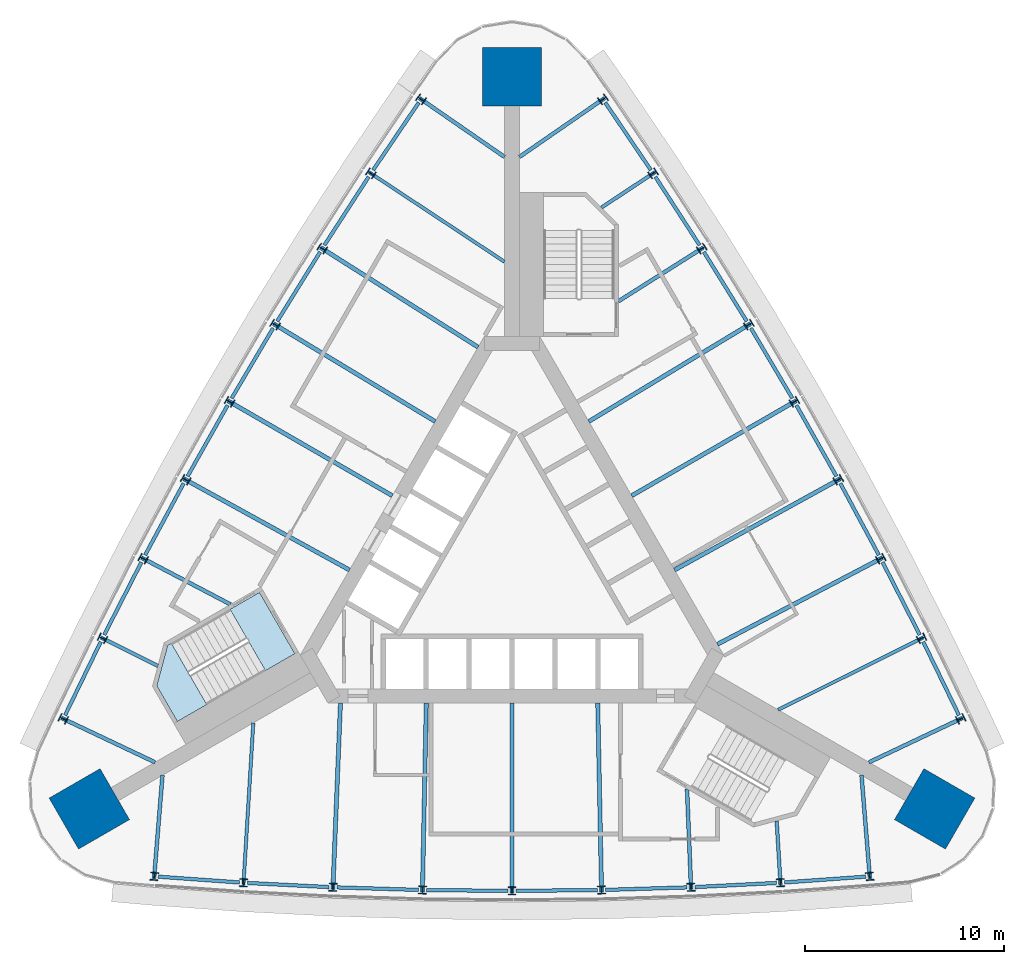
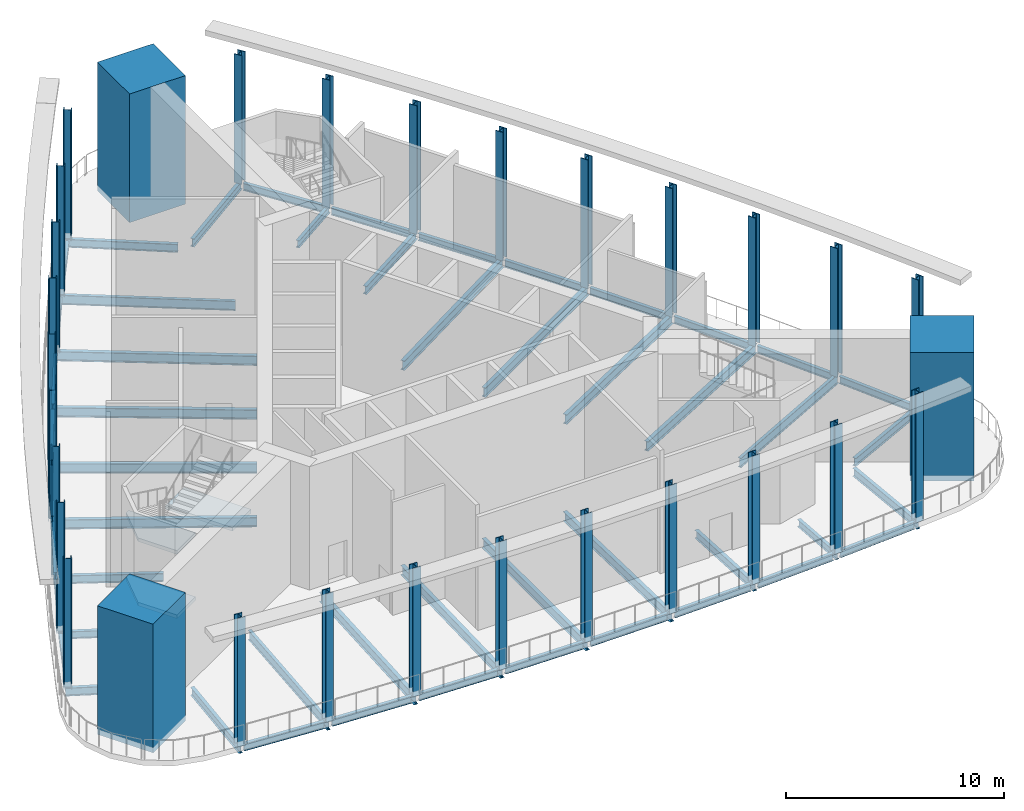
# One storey, part 1 of 7: 51 beams, 30 columns, 3 slabs, 1 element without a shape of its own.
"""IFC4 building model written with IfcOpenShell, lengths in metres."""

from ifc_helpers import new_model, si_unit, direction, frame, origin, origin_2d, place, context, subcontext, project, spatial, polyline, rectangle, i_section, outline, extrude, material, layer, layer_set, material_profile, profile_set, type_object, element, aggregate, save


model = new_model("IFC4")

# Units and contexts
model_context = context("Model", 3, precision=1e-05, world=origin(), true_north=direction((0.0, 1.0)))
body_context = subcontext(model_context, "Body", "Model", "MODEL_VIEW")
ifc_project = project(units=[si_unit("LENGTHUNIT", "METRE"), si_unit("AREAUNIT", "SQUARE_METRE"), si_unit("VOLUMEUNIT", "CUBIC_METRE"), si_unit("PLANEANGLEUNIT", "RADIAN"), si_unit("MASSUNIT", "GRAM", prefix="KILO")], contexts=[model_context])

# Site, building, storey
site_placement = place(None, origin())
site = spatial("IfcSite", under=ifc_project, at=site_placement, CompositionType="ELEMENT")
building_placement = place(site_placement, origin())
building = spatial("IfcBuilding", under=site, at=building_placement, Name="Noor Cloister Tower", CompositionType="ELEMENT")
storey_placement = place(building_placement, frame((0.0, 0.0, 127.5)))
storey = spatial("IfcBuildingStorey", under=building, at=storey_placement, Name="L33", CompositionType="ELEMENT", Elevation=127.5)

# Columns
ifc_material_1 = material(Name="Steel ASTM A992 Gr 50", Category="steel")
ifc_material_profile_1 = material_profile(ifc_material_1, i_section(OverallWidth=0.40087890625, OverallDepth=0.39892578125, WebThickness=0.02490234375, FlangeThickness=0.03955078125, FilletRadius=0.015380859375, at=origin_2d()), Name="W360x314")
ifc_profile_set_1 = profile_set([ifc_material_profile_1], Name="Steel ASTM A992 Gr 50")
column_type_1 = type_object("IfcColumnType", Name="Column W360x314", PredefinedType="COLUMN", material=ifc_profile_set_1)
for number, where, z_axis, x_axis, name in (
    (1, (-4.56005859375, 23.343017578125, -0.300048828125), (0.0, 0.0, 1.0), (-0.568579465539, -0.822628343401, 0.0), "Column NW 01 L33"),
    (2, (-7.07470703125, 19.624755859375, -0.300048828125), (0.0, 0.0, 1.0), (-0.551768440172, -0.83399735517, 0.0), "Column NW 02 L33"),
    (3, (-9.513427734375, 15.856201171875, -0.300048828125), (0.0, 0.0, 1.0), (-0.534730160694, -0.845022872616, 0.0), "Column NW 03 L33"),
    (4, (-11.875, 12.0390625, -0.300048828125), (0.0, 0.0, 1.0), (-0.517471644577, -0.855700354715, 0.0), "Column NW 04 L33"),
    (5, (-14.15869140625, 8.174560546875, -0.300048828125), (0.0, 0.0, 1.0), (-0.5, -0.866025403784, 0.0), "Column NW 05 L33"),
    (6, (-16.363525390625, 4.2646484375, -0.300048828125), (0.0, 0.0, 1.0), (-0.482322422922, -0.875993767299, 0.0), "Column NW 06 L33"),
    (7, (-18.488525390625, 0.310791015625, -0.300048828125), (0.0, 0.0, 1.0), (-0.464446194118, -0.885601339639, 0.0), "Column NW 07 L33"),
    (8, (-20.532958984375, -3.685546875, -0.300048828125), (0.0, 0.0, 1.0), (-0.446378676181, -0.89484416378, 0.0), "Column NW 08 L33"),
    (9, (-22.495849609375, -7.722412109375, -0.300048828125), (0.0, 0.0, 1.0), (-0.428127310489, -0.903718432928, 0.0), "Column NW 09 L33"),
    (10, (-17.935546875, -15.620849609375, -0.300048828125), (0.0, 0.0, 1.0), (0.996706776028, -0.081090089527, 0.0), "Column S 01 L33"),
    (11, (-13.458251953125, -15.939208984375, -0.300048828125), (0.0, 0.0, 1.0), (0.998147116352, -0.06084680861, 0.0), "Column S 02 L33"),
    (12, (-8.97509765625, -16.1669921875, -0.300048828125), (0.0, 0.0, 1.0), (0.999176354811, -0.040578467022, 0.0), "Column S 03 L33"),
    (13, (-4.488525390625, -16.3037109375, -0.300048828125), (0.0, 0.0, 1.0), (0.999794067499, -0.020293412584, 0.0), "Column S 04 L33"),
    (14, (0.0, -16.34912109375, -0.300048828125), (0.0, 0.0, 1.0), (1.0, 0.0, 0.0), "Column S 05 L33"),
    (15, (4.488525390625, -16.3037109375, -0.300048828125), (0.0, 0.0, 1.0), (0.999794067499, 0.020293412584, 0.0), "Column S 06 L33"),
    (16, (8.97509765625, -16.1669921875, -0.300048828125), (0.0, 0.0, 1.0), (0.999176354811, 0.040578467022, 0.0), "Column S 07 L33"),
    (17, (13.458251953125, -15.939208984375, -0.300048828125), (0.0, 0.0, 1.0), (0.998147116352, 0.06084680861, 0.0), "Column S 08 L33"),
    (18, (17.935546875, -15.620849609375, -0.300048828125), (0.0, 0.0, 1.0), (0.996706776028, 0.081090089527, 0.0), "Column S 09 L33"),
    (19, (22.495849609375, -7.722412109375, -0.300048828125), (0.0, 0.0, 1.0), (-0.428127310489, 0.903718432928, 0.0), "Column NE 01 L33"),
    (20, (20.532958984375, -3.685546875, -0.300048828125), (0.0, 0.0, 1.0), (-0.446378676181, 0.89484416378, 0.0), "Column NE 02 L33"),
    (21, (18.488525390625, 0.310791015625, -0.300048828125), (0.0, 0.0, 1.0), (-0.464446194118, 0.885601339639, 0.0), "Column NE 03 L33"),
    (22, (16.363525390625, 4.2646484375, -0.300048828125), (0.0, 0.0, 1.0), (-0.482322422922, 0.875993767299, 0.0), "Column NE 04 L33"),
    (23, (14.15869140625, 8.174560546875, -0.300048828125), (0.0, 0.0, 1.0), (-0.5, 0.866025403784, 0.0), "Column NE 05 L33"),
    (24, (11.875, 12.0390625, -0.300048828125), (0.0, 0.0, 1.0), (-0.517471644577, 0.855700354715, 0.0), "Column NE 06 L33"),
    (25, (9.513427734375, 15.856201171875, -0.300048828125), (0.0, 0.0, 1.0), (-0.534730160694, 0.845022872616, 0.0), "Column NE 07 L33"),
    (26, (7.07470703125, 19.624755859375, -0.300048828125), (0.0, 0.0, 1.0), (-0.551768440172, 0.83399735517, 0.0), "Column NE 08 L33"),
    (27, (4.56005859375, 23.343017578125, -0.300048828125), (0.0, 0.0, 1.0), (-0.568579465539, 0.822628343401, 0.0), "Column NE 09 L33"),
):
    element("IfcColumn", number, at=place(storey_placement, frame(where, z_axis=z_axis, x_axis=x_axis)), inside=storey, type_object=column_type_1, Name=name, PredefinedType="COLUMN", context=body_context, shape_type="SweptSolid", body=[
        extrude(i_section(OverallWidth=0.40087890625, OverallDepth=0.39892578125, WebThickness=0.02490234375, FlangeThickness=0.03955078125, FilletRadius=0.015380859375, at=origin_2d()), origin(), (0.0, 0.0, 1.0), 7.199951171875),
    ])
ifc_material_2 = material(Name="Concrete C80/95", Category="concrete")
ifc_material_profile_2 = material_profile(ifc_material_2, rectangle(XDim=2.949951171875, YDim=2.949951171875, at=origin_2d()), Name="RC 2950x2950")
ifc_profile_set_2 = profile_set([ifc_material_profile_2], Name="Concrete C80/95")
column_type_2 = type_object("IfcColumnType", Name="Corner pier 2950 x 2950 C80/95", PredefinedType="COLUMN", material=ifc_profile_set_2)
for number, where, z_axis, x_axis, name in (
    (28, (0.0, 24.469970703125, -0.300048828125), (0.0, 0.0, 1.0), (0.0, 1.0, 0.0), "Corner pier N L33"),
    (29, (-21.191650390625, -12.235107421875, -0.300048828125), (0.0, 0.0, 1.0), (-0.866025403784, -0.5, 0.0), "Corner pier SW L33"),
    (30, (21.191650390625, -12.235107421875, -0.300048828125), (0.0, 0.0, 1.0), (0.866025403784, -0.5, 0.0), "Corner pier SE L33"),
):
    element("IfcColumn", number, at=place(storey_placement, frame(where, z_axis=z_axis, x_axis=x_axis)), inside=storey, type_object=column_type_2, Name=name, PredefinedType="COLUMN", context=body_context, shape_type="SweptSolid", body=[
        extrude(rectangle(XDim=2.949951171875, YDim=2.949951171875, at=origin_2d()), origin(), (0.0, 0.0, 1.0), 7.199951171875),
    ])

# Beams
ifc_material_3 = material(Name="Steel ASTM A992 Gr 50", Category="steel")
ifc_material_profile_3 = material_profile(ifc_material_3, i_section(OverallWidth=0.177978515625, OverallDepth=0.406005859375, WebThickness=0.0078125, FlangeThickness=0.0126953125, FilletRadius=0.01025390625, at=origin_2d()), Name="W410x60")
ifc_profile_set_3 = profile_set([ifc_material_profile_3], Name="Steel ASTM A992 Gr 50")
beam_type_1 = type_object("IfcBeamType", Name="Radial beam W410x60", PredefinedType="BEAM", material=ifc_profile_set_3)
for number, where, z_axis, x_axis, name in (
    (31, (-20.622802734375, -3.640625, -0.5029296875), (0.894837673451, -0.446391686943, 0.0), (0.446391686943, 0.894837673451, 0.0), "Radial beam NW 08 L33"),
    (32, (13.46435546875, -16.03955078125, -0.5029296875), (-0.060867192533, 0.998145873544, 0.0), (-0.998145873544, -0.060867192533, 0.0), "Radial beam S 08 L33"),
):
    element("IfcBeam", number, at=place(storey_placement, frame(where, z_axis=z_axis, x_axis=x_axis)), inside=storey, type_object=beam_type_1, Name=name, PredefinedType="BEAM", context=body_context, shape_type="SweptSolid", body=[
        extrude(i_section(OverallWidth=0.177978515625, OverallDepth=0.406005859375, WebThickness=0.0078125, FlangeThickness=0.0126953125, FilletRadius=0.01025390625, at=origin_2d()), origin(), (0.0, 0.0, 1.0), 3.208740234375),
    ])
beam_1_placement = place(storey_placement, frame((7.15869140625, 19.68017578125, -0.5029296875), z_axis=(-0.834011494553, -0.551747067916, 0.0), x_axis=(0.551747067916, -0.834011494553, 0.0)))
element("IfcBeam", 33, at=beam_1_placement, inside=storey, type_object=beam_type_1, Name="Radial beam NE 08 L33", PredefinedType="BEAM", context=body_context, shape_type="SweptSolid", body=[
    extrude(i_section(OverallWidth=0.177978515625, OverallDepth=0.406005859375, WebThickness=0.0078125, FlangeThickness=0.0126953125, FilletRadius=0.01025390625, at=origin_2d()), origin(), (0.0, 0.0, 1.0), 3.208984375),
])
ifc_material_4 = material(Name="Steel ASTM A992 Gr 50", Category="steel")
ifc_material_profile_4 = material_profile(ifc_material_4, i_section(OverallWidth=0.19091796875, OverallDepth=0.45703125, WebThickness=0.009033203125, FlangeThickness=0.014404296875, FilletRadius=0.01025390625, at=origin_2d()), Name="W460x74")
ifc_profile_set_4 = profile_set([ifc_material_profile_4], Name="Steel ASTM A992 Gr 50")
beam_type_2 = type_object("IfcBeamType", Name="Radial beam W460x74", PredefinedType="BEAM", material=ifc_profile_set_4)
beam_2_placement = place(storey_placement, frame((-4.642822265625, 23.400146484375, -0.528564453125), z_axis=(0.822637493893, -0.568566226258, 0.0), x_axis=(0.568566226258, 0.822637493893, 0.0)))
element("IfcBeam", 34, at=beam_2_placement, inside=storey, type_object=beam_type_2, Name="Radial beam NW 01 L33", PredefinedType="BEAM", context=body_context, shape_type="SweptSolid", body=[
    extrude(i_section(OverallWidth=0.19091796875, OverallDepth=0.45703125, WebThickness=0.009033203125, FlangeThickness=0.014404296875, FilletRadius=0.01025390625, at=origin_2d()), origin(), (0.0, 0.0, 1.0), 5.18798828125),
])
beam_3_placement = place(storey_placement, frame((-18.57763671875, 0.357421875, -0.528564453125), z_axis=(0.885586063016, -0.464475322263, 0.0), x_axis=(0.464475322263, 0.885586063016, 0.0)))
element("IfcBeam", 35, at=beam_3_placement, inside=storey, type_object=beam_type_2, Name="Radial beam NW 07 L33", PredefinedType="BEAM", context=body_context, shape_type="SweptSolid", body=[
    extrude(i_section(OverallWidth=0.19091796875, OverallDepth=0.45703125, WebThickness=0.009033203125, FlangeThickness=0.014404296875, FilletRadius=0.01025390625, at=origin_2d()), origin(), (0.0, 0.0, 1.0), 5.04443359375),
])
for number, where, z_axis, x_axis, name in (
    (36, (-22.586669921875, -7.67919921875, -0.528564453125), (0.903712923998, -0.428138938895, 0.0), (0.428138938895, 0.903712923998, 0.0), "Radial beam NW 09 L33"),
    (37, (-17.94384765625, -15.720947265625, -0.528564453125), (0.08108247603, 0.996707395418, 0.0), (-0.996707395418, 0.08108247603, 0.0), "Radial beam S 01 L33"),
):
    element("IfcBeam", number, at=place(storey_placement, frame(where, z_axis=z_axis, x_axis=x_axis)), inside=storey, type_object=beam_type_2, Name=name, PredefinedType="BEAM", context=body_context, shape_type="SweptSolid", body=[
        extrude(i_section(OverallWidth=0.19091796875, OverallDepth=0.45703125, WebThickness=0.009033203125, FlangeThickness=0.014404296875, FilletRadius=0.01025390625, at=origin_2d()), origin(), (0.0, 0.0, 1.0), 5.18798828125),
    ])
beam_4_placement = place(storey_placement, frame((8.979248046875, -16.267333984375, -0.528564453125), z_axis=(-0.040557544065, 0.999177204313, 0.0), x_axis=(-0.999177204313, -0.040557544065, 0.0)))
element("IfcBeam", 38, at=beam_4_placement, inside=storey, type_object=beam_type_2, Name="Radial beam S 07 L33", PredefinedType="BEAM", context=body_context, shape_type="SweptSolid", body=[
    extrude(i_section(OverallWidth=0.19091796875, OverallDepth=0.45703125, WebThickness=0.009033203125, FlangeThickness=0.014404296875, FilletRadius=0.01025390625, at=origin_2d()), origin(), (0.0, 0.0, 1.0), 5.04443359375),
])
for number, where, z_axis, x_axis, name in (
    (39, (17.94384765625, -15.720947265625, -0.528564453125), (-0.08108247603, 0.996707395418, 0.0), (-0.996707395418, -0.08108247603, 0.0), "Radial beam S 09 L33"),
    (40, (22.586669921875, -7.67919921875, -0.528564453125), (-0.903712923998, -0.428138938895, 0.0), (0.428138938895, -0.903712923998, 0.0), "Radial beam NE 01 L33"),
):
    element("IfcBeam", number, at=place(storey_placement, frame(where, z_axis=z_axis, x_axis=x_axis)), inside=storey, type_object=beam_type_2, Name=name, PredefinedType="BEAM", context=body_context, shape_type="SweptSolid", body=[
        extrude(i_section(OverallWidth=0.19091796875, OverallDepth=0.45703125, WebThickness=0.009033203125, FlangeThickness=0.014404296875, FilletRadius=0.01025390625, at=origin_2d()), origin(), (0.0, 0.0, 1.0), 5.18798828125),
    ])
beam_5_placement = place(storey_placement, frame((9.598388671875, 15.909912109375, -0.528564453125), z_axis=(-0.845037776893, -0.534706607051, 0.0), x_axis=(0.534706607051, -0.845037776893, 0.0)))
element("IfcBeam", 41, at=beam_5_placement, inside=storey, type_object=beam_type_2, Name="Radial beam NE 07 L33", PredefinedType="BEAM", context=body_context, shape_type="SweptSolid", body=[
    extrude(i_section(OverallWidth=0.19091796875, OverallDepth=0.45703125, WebThickness=0.009033203125, FlangeThickness=0.014404296875, FilletRadius=0.01025390625, at=origin_2d()), origin(), (0.0, 0.0, 1.0), 5.04443359375),
])
beam_6_placement = place(storey_placement, frame((4.642822265625, 23.400146484375, -0.528564453125), z_axis=(-0.822637493893, -0.568566226258, 0.0), x_axis=(0.568566226258, -0.822637493893, 0.0)))
element("IfcBeam", 42, at=beam_6_placement, inside=storey, type_object=beam_type_2, Name="Radial beam NE 09 L33", PredefinedType="BEAM", context=body_context, shape_type="SweptSolid", body=[
    extrude(i_section(OverallWidth=0.19091796875, OverallDepth=0.45703125, WebThickness=0.009033203125, FlangeThickness=0.014404296875, FilletRadius=0.01025390625, at=origin_2d()), origin(), (0.0, 0.0, 1.0), 5.18798828125),
])
ifc_material_5 = material(Name="Steel ASTM A992 Gr 50", Category="steel")
ifc_material_profile_5 = material_profile(ifc_material_5, i_section(OverallWidth=0.166015625, OverallDepth=0.528076171875, WebThickness=0.009765625, FlangeThickness=0.013671875, FilletRadius=0.0126953125, at=origin_2d()), Name="W530x74")
ifc_profile_set_5 = profile_set([ifc_material_profile_5], Name="Steel ASTM A992 Gr 50")
beam_type_3 = type_object("IfcBeamType", Name="Radial beam W530x74", PredefinedType="BEAM", material=ifc_profile_set_5)
for number, where, z_axis, x_axis, name in (
    (43, (-7.15869140625, 19.68017578125, -0.56396484375), (0.834012235429, -0.551745948019, 0.0), (0.551745948019, 0.834012235429, 0.0), "Radial beam NW 02 L33"),
    (44, (-13.46435546875, -16.03955078125, -0.56396484375), (0.060842147734, 0.998147400467, 0.0), (-0.998147400467, 0.060842147734, 0.0), "Radial beam S 02 L33"),
    (45, (20.622802734375, -3.640625, -0.56396484375), (-0.894835035087, -0.446396975775, 0.0), (0.446396975775, -0.894835035087, 0.0), "Radial beam NE 02 L33"),
):
    element("IfcBeam", number, at=place(storey_placement, frame(where, z_axis=z_axis, x_axis=x_axis)), inside=storey, type_object=beam_type_3, Name=name, PredefinedType="BEAM", context=body_context, shape_type="SweptSolid", body=[
        extrude(i_section(OverallWidth=0.166015625, OverallDepth=0.528076171875, WebThickness=0.009765625, FlangeThickness=0.013671875, FilletRadius=0.0126953125, at=origin_2d()), origin(), (0.0, 0.0, 1.0), 8.1337890625),
    ])
ifc_material_6 = material(Name="Steel ASTM A992 Gr 50", Category="steel")
ifc_material_profile_6 = material_profile(ifc_material_6, i_section(OverallWidth=0.208984375, OverallDepth=0.532958984375, WebThickness=0.01025390625, FlangeThickness=0.015625, FilletRadius=0.0126953125, at=origin_2d()), Name="W530x92")
ifc_profile_set_6 = profile_set([ifc_material_profile_6], Name="Steel ASTM A992 Gr 50")
beam_type_4 = type_object("IfcBeamType", Name="Radial beam W530x92", PredefinedType="BEAM", material=ifc_profile_set_6)
beam_7_placement = place(storey_placement, frame((-9.598388671875, 15.909912109375, -0.56640625), z_axis=(0.845026810046, -0.534723938405, 0.0), x_axis=(0.534723938405, 0.845026810046, 0.0)))
element("IfcBeam", 46, at=beam_7_placement, inside=storey, type_object=beam_type_4, Name="Radial beam NW 03 L33", PredefinedType="BEAM", context=body_context, shape_type="SweptSolid", body=[
    extrude(i_section(OverallWidth=0.208984375, OverallDepth=0.532958984375, WebThickness=0.01025390625, FlangeThickness=0.015625, FilletRadius=0.0126953125, at=origin_2d()), origin(), (0.0, 0.0, 1.0), 9.346923828125),
])
beam_8_placement = place(storey_placement, frame((-11.961181640625, 12.091064453125, -0.56640625), z_axis=(0.85570360183, -0.51746627505, 0.0), x_axis=(0.51746627505, 0.85570360183, 0.0)))
element("IfcBeam", 47, at=beam_8_placement, inside=storey, type_object=beam_type_4, Name="Radial beam NW 04 L33", PredefinedType="BEAM", context=body_context, shape_type="SweptSolid", body=[
    extrude(i_section(OverallWidth=0.208984375, OverallDepth=0.532958984375, WebThickness=0.01025390625, FlangeThickness=0.015625, FilletRadius=0.0126953125, at=origin_2d()), origin(), (0.0, 0.0, 1.0), 9.47802734375),
])
beam_9_placement = place(storey_placement, frame((-14.245849609375, 8.224853515625, -0.56640625), z_axis=(0.866025463095, -0.499999897272, 0.0), x_axis=(0.499999897272, 0.866025463095, 0.0)))
element("IfcBeam", 48, at=beam_9_placement, inside=storey, type_object=beam_type_4, Name="Radial beam NW 05 L33", PredefinedType="BEAM", context=body_context, shape_type="SweptSolid", body=[
    extrude(i_section(OverallWidth=0.208984375, OverallDepth=0.532958984375, WebThickness=0.01025390625, FlangeThickness=0.015625, FilletRadius=0.0126953125, at=origin_2d()), origin(), (0.0, 0.0, 1.0), 9.521484375),
])
beam_10_placement = place(storey_placement, frame((-16.45166015625, 4.31298828125, -0.56640625), z_axis=(0.875996641486, -0.482317202787, 0.0), x_axis=(0.482317202787, 0.875996641486, 0.0)))
element("IfcBeam", 49, at=beam_10_placement, inside=storey, type_object=beam_type_4, Name="Radial beam NW 06 L33", PredefinedType="BEAM", context=body_context, shape_type="SweptSolid", body=[
    extrude(i_section(OverallWidth=0.208984375, OverallDepth=0.532958984375, WebThickness=0.01025390625, FlangeThickness=0.015625, FilletRadius=0.0126953125, at=origin_2d()), origin(), (0.0, 0.0, 1.0), 9.477783203125),
])
beam_11_placement = place(storey_placement, frame((-8.979248046875, -16.267333984375, -0.56640625), z_axis=(0.040564707257, 0.999176913527, 0.0), x_axis=(-0.999176913527, 0.040564707257, 0.0)))
element("IfcBeam", 50, at=beam_11_placement, inside=storey, type_object=beam_type_4, Name="Radial beam S 03 L33", PredefinedType="BEAM", context=body_context, shape_type="SweptSolid", body=[
    extrude(i_section(OverallWidth=0.208984375, OverallDepth=0.532958984375, WebThickness=0.01025390625, FlangeThickness=0.015625, FilletRadius=0.0126953125, at=origin_2d()), origin(), (0.0, 0.0, 1.0), 9.346923828125),
])
beam_12_placement = place(storey_placement, frame((-4.490478515625, -16.404052734375, -0.56640625), z_axis=(0.020272544362, 0.999794490856, 0.0), x_axis=(-0.999794490856, 0.020272544362, 0.0)))
element("IfcBeam", 51, at=beam_12_placement, inside=storey, type_object=beam_type_4, Name="Radial beam S 04 L33", PredefinedType="BEAM", context=body_context, shape_type="SweptSolid", body=[
    extrude(i_section(OverallWidth=0.208984375, OverallDepth=0.532958984375, WebThickness=0.01025390625, FlangeThickness=0.015625, FilletRadius=0.0126953125, at=origin_2d()), origin(), (0.0, 0.0, 1.0), 9.477783203125),
])
beam_13_placement = place(storey_placement, frame((0.0, -16.44970703125, -0.56640625), z_axis=(0.0, 1.0, 0.0), x_axis=(-1.0, 0.0, 0.0)))
element("IfcBeam", 52, at=beam_13_placement, inside=storey, type_object=beam_type_4, Name="Radial beam S 05 L33", PredefinedType="BEAM", context=body_context, shape_type="SweptSolid", body=[
    extrude(i_section(OverallWidth=0.208984375, OverallDepth=0.532958984375, WebThickness=0.01025390625, FlangeThickness=0.015625, FilletRadius=0.0126953125, at=origin_2d()), origin(), (0.0, 0.0, 1.0), 9.521484375),
])
beam_14_placement = place(storey_placement, frame((4.490478515625, -16.404052734375, -0.56640625), z_axis=(-0.020272544362, 0.999794490856, 0.0), x_axis=(-0.999794490856, -0.020272544362, 0.0)))
element("IfcBeam", 53, at=beam_14_placement, inside=storey, type_object=beam_type_4, Name="Radial beam S 06 L33", PredefinedType="BEAM", context=body_context, shape_type="SweptSolid", body=[
    extrude(i_section(OverallWidth=0.208984375, OverallDepth=0.532958984375, WebThickness=0.01025390625, FlangeThickness=0.015625, FilletRadius=0.0126953125, at=origin_2d()), origin(), (0.0, 0.0, 1.0), 9.477783203125),
])
beam_15_placement = place(storey_placement, frame((18.57763671875, 0.357421875, -0.56640625), z_axis=(-0.885603411569, -0.46444224336, 0.0), x_axis=(0.46444224336, -0.885603411569, 0.0)))
element("IfcBeam", 54, at=beam_15_placement, inside=storey, type_object=beam_type_4, Name="Radial beam NE 03 L33", PredefinedType="BEAM", context=body_context, shape_type="SweptSolid", body=[
    extrude(i_section(OverallWidth=0.208984375, OverallDepth=0.532958984375, WebThickness=0.01025390625, FlangeThickness=0.015625, FilletRadius=0.0126953125, at=origin_2d()), origin(), (0.0, 0.0, 1.0), 9.346923828125),
])
beam_16_placement = place(storey_placement, frame((16.45166015625, 4.31298828125, -0.56640625), z_axis=(-0.875996641486, -0.482317202787, 0.0), x_axis=(0.482317202787, -0.875996641486, 0.0)))
element("IfcBeam", 55, at=beam_16_placement, inside=storey, type_object=beam_type_4, Name="Radial beam NE 04 L33", PredefinedType="BEAM", context=body_context, shape_type="SweptSolid", body=[
    extrude(i_section(OverallWidth=0.208984375, OverallDepth=0.532958984375, WebThickness=0.01025390625, FlangeThickness=0.015625, FilletRadius=0.0126953125, at=origin_2d()), origin(), (0.0, 0.0, 1.0), 9.477783203125),
])
beam_17_placement = place(storey_placement, frame((14.245849609375, 8.224853515625, -0.56640625), z_axis=(-0.866025463095, -0.499999897272, 0.0), x_axis=(0.499999897272, -0.866025463095, 0.0)))
element("IfcBeam", 56, at=beam_17_placement, inside=storey, type_object=beam_type_4, Name="Radial beam NE 05 L33", PredefinedType="BEAM", context=body_context, shape_type="SweptSolid", body=[
    extrude(i_section(OverallWidth=0.208984375, OverallDepth=0.532958984375, WebThickness=0.01025390625, FlangeThickness=0.015625, FilletRadius=0.0126953125, at=origin_2d()), origin(), (0.0, 0.0, 1.0), 9.521484375),
])
beam_18_placement = place(storey_placement, frame((11.961181640625, 12.091064453125, -0.56640625), z_axis=(-0.85570360183, -0.51746627505, 0.0), x_axis=(0.51746627505, -0.85570360183, 0.0)))
element("IfcBeam", 57, at=beam_18_placement, inside=storey, type_object=beam_type_4, Name="Radial beam NE 06 L33", PredefinedType="BEAM", context=body_context, shape_type="SweptSolid", body=[
    extrude(i_section(OverallWidth=0.208984375, OverallDepth=0.532958984375, WebThickness=0.01025390625, FlangeThickness=0.015625, FilletRadius=0.0126953125, at=origin_2d()), origin(), (0.0, 0.0, 1.0), 9.47802734375),
])
ifc_material_7 = material(Name="Steel ASTM A992 Gr 50", Category="steel")
ifc_material_profile_7 = material_profile(ifc_material_7, i_section(OverallWidth=0.177978515625, OverallDepth=0.406005859375, WebThickness=0.0078125, FlangeThickness=0.0126953125, FilletRadius=0.01025390625, at=origin_2d()), Name="W410x60")
ifc_profile_set_7 = profile_set([ifc_material_profile_7], Name="Steel ASTM A992 Gr 50")
beam_type_5 = type_object("IfcBeamType", Name="Spandrel beam W410x60", PredefinedType="SPANDREL", material=ifc_profile_set_7)
for number, where, z_axis, x_axis, name in (
    (58, (-4.67236328125, 23.177001953125, -0.5029296875), (-0.560200904677, -0.828356774826, 0.0), (0.828356774826, -0.560200904677, 0.0), "Spandrel beam NW 01 L33"),
    (59, (-7.18359375, 19.45654296875, -0.5029296875), (-0.543305756607, -0.839534903883, 0.0), (0.839534903883, -0.543305756607, 0.0), "Spandrel beam NW 02 L33"),
    (60, (-9.618896484375, 15.685791015625, -0.5029296875), (-0.526111975174, -0.850415304177, 0.0), (0.850415304177, -0.526111975174, 0.0), "Spandrel beam NW 03 L33"),
    (61, (-11.97705078125, 11.866455078125, -0.5029296875), (-0.508775589434, -0.860899180854, 0.0), (0.860899180854, -0.508775589434, 0.0), "Spandrel beam NW 04 L33"),
    (62, (-14.25732421875, 8.0, -0.5029296875), (-0.491165510925, -0.87106626664, 0.0), (0.87106626664, -0.491165510925, 0.0), "Spandrel beam NW 05 L33"),
    (63, (-16.45849609375, 4.088134765625, -0.5029296875), (-0.473415891139, -0.880839028436, 0.0), (0.880839028436, -0.473415891139, 0.0), "Spandrel beam NW 06 L33"),
    (64, (-18.579833984375, 0.13232421875, -0.5029296875), (-0.455436177251, -0.890268436176, 0.0), (0.890268436176, -0.455436177251, 0.0), "Spandrel beam NW 07 L33"),
    (65, (-20.62060546875, -3.86572265625, -0.5029296875), (-0.437296029783, -0.899317620386, 0.0), (0.899317620386, -0.437296029783, 0.0), "Spandrel beam NW 08 L33"),
):
    element("IfcBeam", number, at=place(storey_placement, frame(where, z_axis=z_axis, x_axis=x_axis)), inside=storey, type_object=beam_type_5, Name=name, PredefinedType="SPANDREL", context=body_context, shape_type="SweptSolid", body=[
        extrude(i_section(OverallWidth=0.177978515625, OverallDepth=0.406005859375, WebThickness=0.0078125, FlangeThickness=0.0126953125, FilletRadius=0.01025390625, at=origin_2d()), origin(), (0.0, 0.0, 1.0), 4.087890625),
    ])
beam_19_placement = place(storey_placement, frame((-17.735595703125, -15.635009765625, -0.5029296875), z_axis=(0.997479576003, -0.07095417857, 0.0), x_axis=(0.07095417857, 0.997479576003, 0.0)))
element("IfcBeam", 66, at=beam_19_placement, inside=storey, type_object=beam_type_5, Name="Spandrel beam S 01 L33", PredefinedType="SPANDREL", context=body_context, shape_type="SweptSolid", body=[
    extrude(i_section(OverallWidth=0.177978515625, OverallDepth=0.406005859375, WebThickness=0.0078125, FlangeThickness=0.0126953125, FilletRadius=0.01025390625, at=origin_2d()), origin(), (0.0, 0.0, 1.0), 4.087646484375),
])
for number, where, z_axis, x_axis, name in (
    (67, (-13.258056640625, -15.949462890625, -0.5029296875), (0.998713616936, -0.050706127304, 0.0), (0.050706127304, 0.998713616936, 0.0), "Spandrel beam S 02 L33"),
    (68, (-8.77490234375, -16.173095703125, -0.5029296875), (0.999536014209, -0.030459092211, 0.0), (0.030459092211, 0.999536014209, 0.0), "Spandrel beam S 03 L33"),
    (69, (-4.2880859375, -16.3056640625, -0.5029296875), (0.999948457235, -0.010152973645, 0.0), (0.010152973645, 0.999948457235, 0.0), "Spandrel beam S 04 L33"),
    (70, (0.200439453125, -16.34716796875, -0.5029296875), (0.999948457235, 0.010152973645, 0.0), (-0.010152973645, 0.999948457235, 0.0), "Spandrel beam S 05 L33"),
    (71, (4.68896484375, -16.297607421875, -0.5029296875), (0.999536014209, 0.030459092211, 0.0), (-0.030459092211, 0.999536014209, 0.0), "Spandrel beam S 06 L33"),
    (72, (9.175537109375, -16.15673828125, -0.5029296875), (0.998713616936, 0.050706127304, 0.0), (-0.050706127304, 0.998713616936, 0.0), "Spandrel beam S 07 L33"),
):
    element("IfcBeam", number, at=place(storey_placement, frame(where, z_axis=z_axis, x_axis=x_axis)), inside=storey, type_object=beam_type_5, Name=name, PredefinedType="SPANDREL", context=body_context, shape_type="SweptSolid", body=[
        extrude(i_section(OverallWidth=0.177978515625, OverallDepth=0.406005859375, WebThickness=0.0078125, FlangeThickness=0.0126953125, FilletRadius=0.01025390625, at=origin_2d()), origin(), (0.0, 0.0, 1.0), 4.087890625),
    ])
beam_20_placement = place(storey_placement, frame((13.658203125, -15.925048828125, -0.5029296875), z_axis=(0.997479576003, 0.07095417857, 0.0), x_axis=(-0.07095417857, 0.997479576003, 0.0)))
element("IfcBeam", 73, at=beam_20_placement, inside=storey, type_object=beam_type_5, Name="Spandrel beam S 08 L33", PredefinedType="SPANDREL", context=body_context, shape_type="SweptSolid", body=[
    extrude(i_section(OverallWidth=0.177978515625, OverallDepth=0.406005859375, WebThickness=0.0078125, FlangeThickness=0.0126953125, FilletRadius=0.01025390625, at=origin_2d()), origin(), (0.0, 0.0, 1.0), 4.087646484375),
])
for number, where, z_axis, x_axis, name in (
    (74, (22.408203125, -7.5419921875, -0.5029296875), (-0.437296029783, 0.899317620386, 0.0), (-0.899317620386, -0.437296029783, 0.0), "Spandrel beam NE 01 L33"),
    (75, (20.441650390625, -3.507080078125, -0.5029296875), (-0.455436177251, 0.890268436176, 0.0), (-0.890268436176, -0.455436177251, 0.0), "Spandrel beam NE 02 L33"),
    (76, (18.393798828125, 0.4873046875, -0.5029296875), (-0.473415891139, 0.880839028436, 0.0), (-0.880839028436, -0.473415891139, 0.0), "Spandrel beam NE 03 L33"),
    (77, (16.26513671875, 4.439208984375, -0.5029296875), (-0.491165510925, 0.87106626664, 0.0), (-0.87106626664, -0.491165510925, 0.0), "Spandrel beam NE 04 L33"),
    (78, (14.056884765625, 8.34716796875, -0.5029296875), (-0.508775589434, 0.860899180854, 0.0), (-0.860899180854, -0.508775589434, 0.0), "Spandrel beam NE 05 L33"),
    (79, (11.76953125, 12.20947265625, -0.5029296875), (-0.526111975174, 0.850415304177, 0.0), (-0.850415304177, -0.526111975174, 0.0), "Spandrel beam NE 06 L33"),
    (80, (9.404541015625, 16.024658203125, -0.5029296875), (-0.543305756607, 0.839534903883, 0.0), (-0.839534903883, -0.543305756607, 0.0), "Spandrel beam NE 07 L33"),
    (81, (6.96240234375, 19.790771484375, -0.5029296875), (-0.560200904677, 0.828356774826, 0.0), (-0.828356774826, -0.560200904677, 0.0), "Spandrel beam NE 08 L33"),
):
    element("IfcBeam", number, at=place(storey_placement, frame(where, z_axis=z_axis, x_axis=x_axis)), inside=storey, type_object=beam_type_5, Name=name, PredefinedType="SPANDREL", context=body_context, shape_type="SweptSolid", body=[
        extrude(i_section(OverallWidth=0.177978515625, OverallDepth=0.406005859375, WebThickness=0.0078125, FlangeThickness=0.0126953125, FilletRadius=0.01025390625, at=origin_2d()), origin(), (0.0, 0.0, 1.0), 4.087890625),
    ])

# Stair, slabs
ifc_material_8 = material(Name="Concrete C40/50", Category="concrete")
stair_type = type_object("IfcStairType", Name="Exit stair 44 risers", PredefinedType="HALF_TURN_STAIR", material=ifc_material_8)
stair_placement = place(storey_placement, origin())
stair = element("IfcStair", 82, at=stair_placement, inside=storey, type_object=stair_type, Name="Exit stair ST2 L33", PredefinedType="HALF_TURN_STAIR")
ifc_material_9 = material(Name="Concrete C40/50", Category="concrete")
ifc_layer = layer(ifc_material_9, 0.199951171875)
ifc_layer_set = layer_set([ifc_layer], Name="Stair landing 200 C40/50")
slab_type = type_object("IfcSlabType", Name="Stair landing 200 C40/50", PredefinedType="LANDING", material=ifc_layer_set)
slab_1_placement = place(storey_placement, frame((0.0, 0.0, 1.60009765625)))
slab_1 = element("IfcSlab", 83, at=slab_1_placement, type_object=slab_type, Name="ST2 landing 1", PredefinedType="LANDING", context=body_context, shape_type="SweptSolid", body=[
    extrude(outline(polyline([(-17.078857421875, -3.930419921875), (-17.267333984375, -4.039306640625), (-17.81005859375, -6.064697265625), (-16.776611328125, -7.85498046875), (-15.3037109375, -7.004638671875), (-17.078857421875, -3.930419921875)])), origin(), (0.0, 0.0, 1.0), 0.199951171875),
])
slab_2_placement = place(storey_placement, frame((0.0, 0.0, 3.39990234375)))
slab_2 = element("IfcSlab", 84, at=slab_2_placement, type_object=slab_type, Name="ST2 landing 2", PredefinedType="LANDING", context=body_context, shape_type="SweptSolid", body=[
    extrude(outline(polyline([(-12.3603515625, -5.305419921875), (-10.8876953125, -4.455078125), (-12.66259765625, -1.380615234375), (-14.13525390625, -2.23095703125), (-12.3603515625, -5.305419921875)])), origin(), (0.0, 0.0, 1.0), 0.2001953125),
])
slab_3_placement = place(storey_placement, frame((0.0, 0.0, 5.199951171875)))
slab_3 = element("IfcSlab", 85, at=slab_3_placement, type_object=slab_type, Name="ST2 landing 3", PredefinedType="LANDING", context=body_context, shape_type="SweptSolid", body=[
    extrude(outline(polyline([(-17.078857421875, -3.930419921875), (-17.267333984375, -4.039306640625), (-17.81005859375, -6.064697265625), (-16.776611328125, -7.85498046875), (-15.3037109375, -7.004638671875), (-17.078857421875, -3.930419921875)])), origin(), (0.0, 0.0, 1.0), 0.199951171875),
])
aggregate(stair, [slab_1, slab_2, slab_3])

save(model, "model.ifc")
